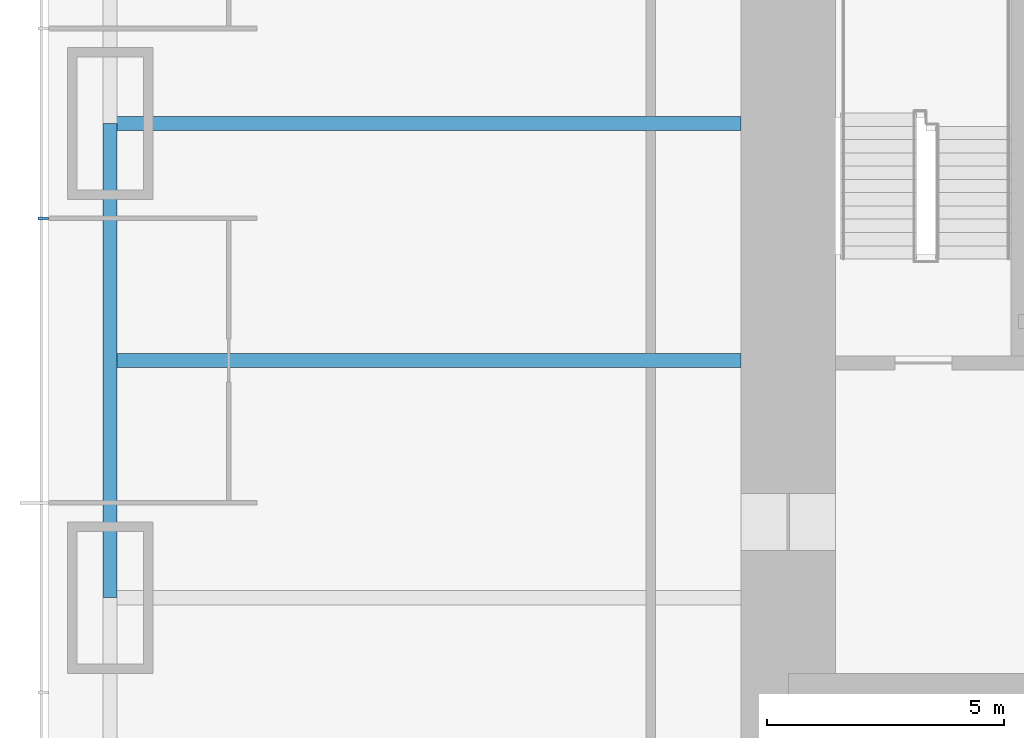
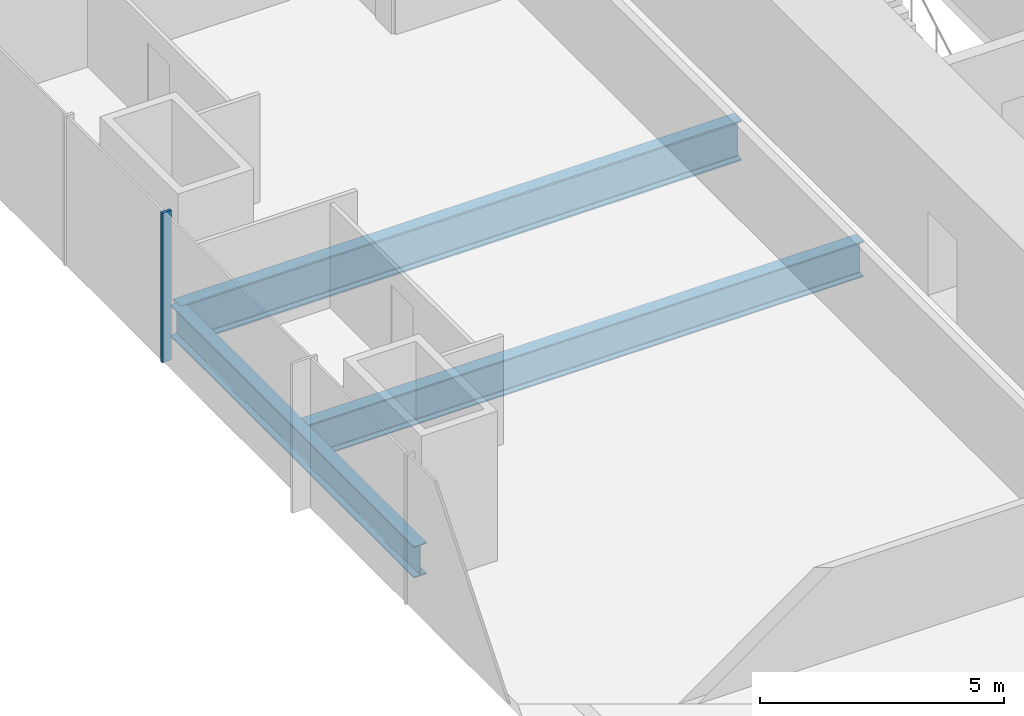
# One storey, part 3 of 17: 3 beams, 1 member, 1 element without a shape of its own.
"""IFC4 building model written with IfcOpenShell, lengths in metres."""

from ifc_helpers import new_model, si_unit, direction, frame, origin, origin_2d, place, context, subcontext, project, spatial, rectangle, i_section, extrude, material, material_profile, profile_set, type_object, element, aggregate, save


model = new_model("IFC4")

# Units and contexts
model_context = context("Model", 3, precision=1e-05, world=origin(), true_north=direction((0.0, 1.0)))
body_context = subcontext(model_context, "Body", "Model", "MODEL_VIEW")
ifc_project = project(units=[si_unit("LENGTHUNIT", "METRE"), si_unit("AREAUNIT", "SQUARE_METRE"), si_unit("VOLUMEUNIT", "CUBIC_METRE"), si_unit("PLANEANGLEUNIT", "RADIAN"), si_unit("MASSUNIT", "GRAM", prefix="KILO")], contexts=[model_context])

# Site, building, storey
site_placement = place(None, origin())
site = spatial("IfcSite", under=ifc_project, at=site_placement, CompositionType="ELEMENT")
building_placement = place(site_placement, origin())
building = spatial("IfcBuilding", under=site, at=building_placement, Name="Khuree Lantern Residences", CompositionType="ELEMENT")
storey_placement = place(building_placement, frame((0.0, 0.0, 77.25)))
storey = spatial("IfcBuildingStorey", under=building, at=storey_placement, Name="L19", CompositionType="ELEMENT", Elevation=77.25)

# Beams
ifc_material_1 = material(Name="Steel S355", Category="steel")
ifc_material_profile_1 = material_profile(ifc_material_1, i_section(OverallWidth=0.300048828125, OverallDepth=0.889892578125, WebThickness=0.01611328125, FlangeThickness=0.030029296875, FilletRadius=0.030029296875, at=origin_2d()), Name="HE 900 A")
ifc_profile_set_1 = profile_set([ifc_material_profile_1], Name="Steel S355")
beam_type_1 = type_object("IfcBeamType", Name="B-14 SECONDARY BEAM HE 900 A", PredefinedType="BEAM", material=ifc_profile_set_1)
beam_1_placement = place(storey_placement, frame((-29.800048828125, -5.0, -0.695068359375), z_axis=(1.0, 0.0, 0.0), x_axis=(0.0, 1.0, 0.0)))
element("IfcBeam", 1, at=beam_1_placement, inside=storey, type_object=beam_type_1, Name="Secondary beam W3", PredefinedType="BEAM", context=body_context, shape_type="SweptSolid", body=[
    extrude(i_section(OverallWidth=0.300048828125, OverallDepth=0.889892578125, WebThickness=0.01611328125, FlangeThickness=0.030029296875, FilletRadius=0.030029296875, at=origin_2d()), origin(), (0.0, 0.0, 1.0), 13.300048828125),
])
ifc_material_profile_2 = material_profile(ifc_material_1, i_section(OverallWidth=0.300048828125, OverallDepth=0.7900390625, WebThickness=0.014892578125, FlangeThickness=0.028076171875, FilletRadius=0.030029296875, at=origin_2d()), Name="HE 800 A")
ifc_profile_set_2 = profile_set([ifc_material_profile_2], Name="Steel S355")
beam_type_2 = type_object("IfcBeamType", Name="E-14 SPANDREL BEAM HE 800 A", PredefinedType="SPANDREL", material=ifc_profile_set_2)
beam_2_placement = place(storey_placement, frame((-29.800048828125, -10.0, -0.64501953125), z_axis=(0.0, 1.0, 0.0), x_axis=(-1.0, 0.0, 0.0)))
element("IfcBeam", 2, at=beam_2_placement, inside=storey, type_object=beam_type_2, Name="Spandrel beam W3", PredefinedType="SPANDREL", context=body_context, shape_type="SweptSolid", body=[
    extrude(i_section(OverallWidth=0.300048828125, OverallDepth=0.7900390625, WebThickness=0.014892578125, FlangeThickness=0.028076171875, FilletRadius=0.030029296875, at=origin_2d()), origin(), (0.0, 0.0, 1.0), 10.0),
])
ifc_material_profile_3 = material_profile(ifc_material_1, i_section(OverallWidth=0.302001953125, OverallDepth=1.008056640625, WebThickness=0.02099609375, FlangeThickness=0.0400390625, FilletRadius=0.030029296875, at=origin_2d()), Name="HE 1000 M")
ifc_profile_set_3 = profile_set([ifc_material_profile_3], Name="Steel S355")
beam_type_3 = type_object("IfcBeamType", Name="G-14 GIRDER HE 1000 M", PredefinedType="BEAM", material=ifc_profile_set_3)
beam_3_placement = place(storey_placement, frame((-29.800048828125, 0.0, -0.75390625), z_axis=(1.0, 0.0, 0.0), x_axis=(0.0, 1.0, 0.0)))
element("IfcBeam", 3, at=beam_3_placement, inside=storey, type_object=beam_type_3, Name="Girder W3", PredefinedType="BEAM", context=body_context, shape_type="SweptSolid", body=[
    extrude(i_section(OverallWidth=0.302001953125, OverallDepth=1.008056640625, WebThickness=0.02099609375, FlangeThickness=0.0400390625, FilletRadius=0.030029296875, at=origin_2d()), origin(), (0.0, 0.0, 1.0), 13.300048828125),
])

# Curtain wall, member
ifc_material_2 = material(Name="Bronze anodised aluminium", Category="aluminium")
curtain_wall_type = type_object("IfcCurtainWallType", Name="CW-T1 TOWER FACE CURTAIN WALL", PredefinedType="USERDEFINED", material=ifc_material_2)
curtain_wall_placement = place(storey_placement, origin())
curtain_wall = element("IfcCurtainWall", 4, at=curtain_wall_placement, inside=storey, type_object=curtain_wall_type, Name="L19 WEST FACE CURTAIN WALL", ObjectType="Stick-built curtain wall", PredefinedType="USERDEFINED")
ifc_material_profile_4 = material_profile(ifc_material_2, rectangle(XDim=0.06494140625, YDim=0.219970703125, at=origin_2d()), Name="M1 65X220")
ifc_profile_set_4 = profile_set([ifc_material_profile_4], Name="Bronze anodised aluminium")
member_type = type_object("IfcMemberType", Name="M1 BRONZE MULLION TOWER 65X220", PredefinedType="MULLION", material=ifc_profile_set_4)
member_placement = place(storey_placement, frame((-31.2099609375, -2.0, 0.0), z_axis=(0.0, 0.0, 1.0), x_axis=(0.0, -1.0, 0.0)))
member = element("IfcMember", 5, at=member_placement, type_object=member_type, Name="L19 WEST FACE MULLION 38", PredefinedType="MULLION", context=body_context, shape_type="SweptSolid", body=[
    extrude(rectangle(XDim=0.06494140625, YDim=0.219970703125, at=origin_2d()), origin(), (0.0, 0.0, 1.0), 3.75),
])
aggregate(curtain_wall, [member])

save(model, "model.ifc")
